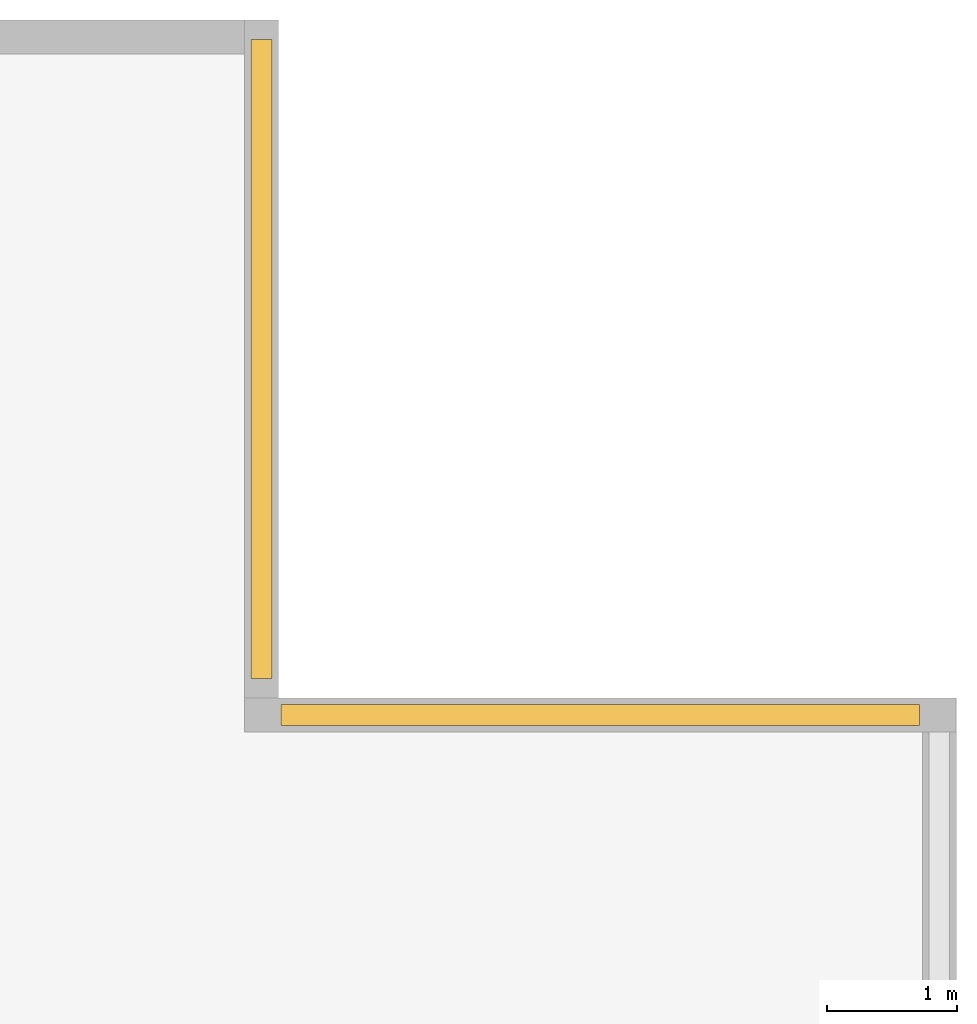
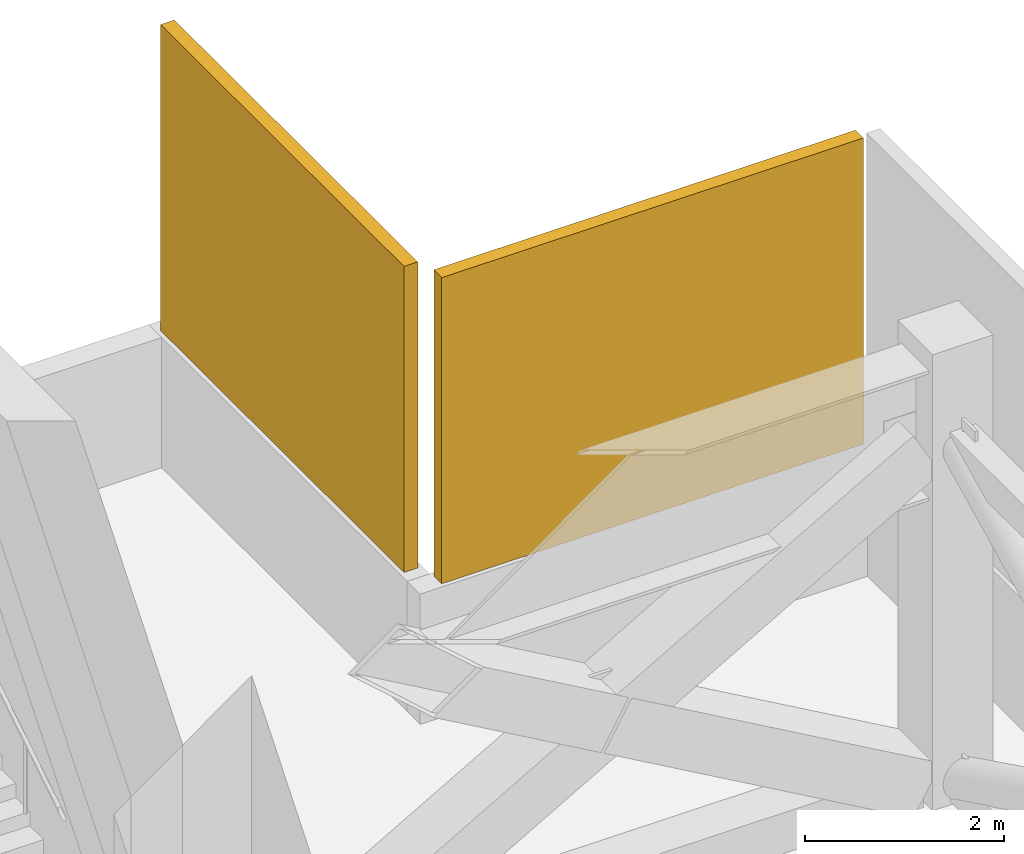
# One storey, part 11 of 11: 2 shading devices.
"""IFC4 building model written with IfcOpenShell, lengths in metres."""

from ifc_helpers import new_model, si_unit, direction, frame, origin, origin_2d, place, context, subcontext, project, spatial, rectangle, extrude, material, layer, layer_set, type_object, element, save


model = new_model("IFC4")

# Units and contexts
model_context = context("Model", 3, precision=1e-05, world=origin(), true_north=direction((0.0, 1.0)))
body_context = subcontext(model_context, "Body", "Model", "MODEL_VIEW")
ifc_project = project(units=[si_unit("LENGTHUNIT", "METRE"), si_unit("AREAUNIT", "SQUARE_METRE"), si_unit("VOLUMEUNIT", "CUBIC_METRE"), si_unit("PLANEANGLEUNIT", "RADIAN"), si_unit("MASSUNIT", "GRAM", prefix="KILO")], contexts=[model_context])

# Site, building, storey
site_placement = place(None, origin())
site = spatial("IfcSite", under=ifc_project, at=site_placement, CompositionType="ELEMENT")
building_placement = place(site_placement, origin())
building = spatial("IfcBuilding", under=site, at=building_placement, Name="Maruvema Waterfront Hotel and Observation Tower", CompositionType="ELEMENT")
storey_placement = place(building_placement, frame((0.0, 0.0, 316.39990234375)))
storey = spatial("IfcBuildingStorey", under=building, at=storey_placement, Name="L78", CompositionType="ELEMENT", Elevation=316.39990234375)

# Shading devices
ifc_material = material(Name="Anodised architectural bronze aluminium", Category="aluminium")
ifc_layer = layer(ifc_material, 0.14990234375, Name="Acoustic Weatherproof Plant Louvre Panel 150 mm")
ifc_layer_set = layer_set([ifc_layer], Name="Anodised architectural bronze aluminium")
shading_device_type = type_object("IfcShadingDeviceType", Name="Acoustic Weatherproof Plant Louvre Panel 150 mm", PredefinedType="JALOUSIE", material=ifc_layer_set)
for number, where, z_axis, x_axis, name in (
    (1, (57.469970703125, 48.669921875, 1.60009765625), (0.0, 0.0, 1.0), (-1.0, 0.0, 0.0), "L78 Mechanical Acoustic Louvre 05"),
    (2, (54.8701171875, 51.39990234375, 1.60009765625), (0.0, 0.0, 1.0), (0.0, 1.0, 0.0), "L78 Mechanical Acoustic Louvre 06"),
):
    element("IfcShadingDevice", number, at=place(storey_placement, frame(where, z_axis=z_axis, x_axis=x_axis)), inside=storey, type_object=shading_device_type, Name=name, PredefinedType="JALOUSIE", context=body_context, shape_type="SweptSolid", body=[
        extrude(rectangle(XDim=4.89990234375, YDim=0.159912109375, at=origin_2d()), origin(), (0.0, 0.0, 1.0), 3.760009765625),
    ])

save(model, "model.ifc")
